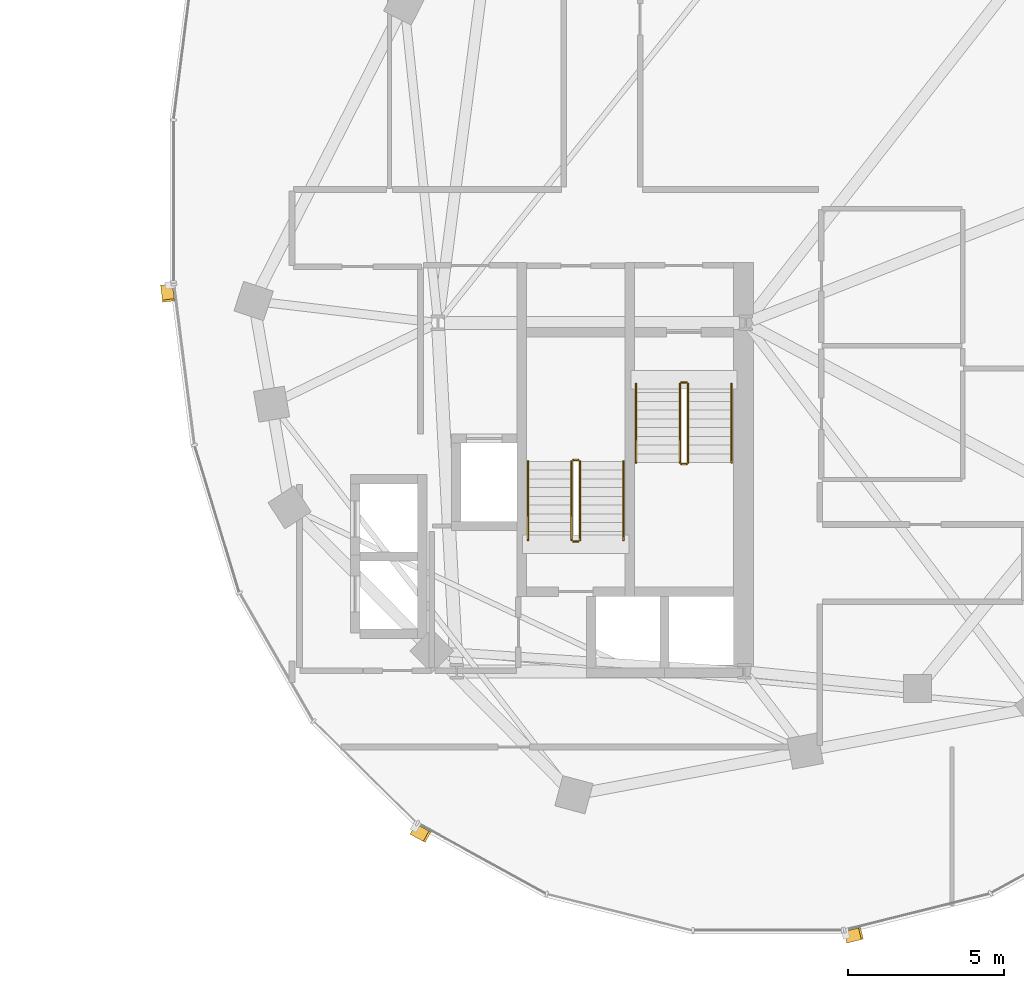
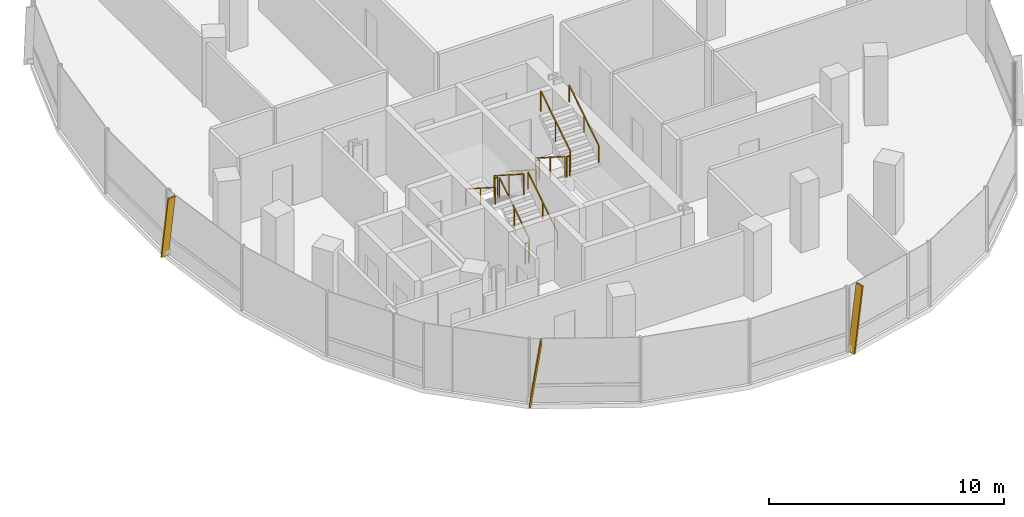
# One storey, part 21 of 22: 12 railings, 3 shading devices.
"""IFC4 building model written with IfcOpenShell, lengths in metres."""

from ifc_helpers import new_model, si_unit, direction, frame, origin, origin_2d, place, context, subcontext, project, spatial, rectangle, extrude, material, material_profile, profile_set, type_object, element, save


model = new_model("IFC4")

# Units and contexts
model_context = context("Model", 3, precision=1e-05, world=origin(), true_north=direction((0.0, 1.0)))
body_context = subcontext(model_context, "Body", "Model", "MODEL_VIEW")
ifc_project = project(units=[si_unit("LENGTHUNIT", "METRE"), si_unit("AREAUNIT", "SQUARE_METRE"), si_unit("VOLUMEUNIT", "CUBIC_METRE"), si_unit("PLANEANGLEUNIT", "RADIAN"), si_unit("MASSUNIT", "GRAM", prefix="KILO"), si_unit("THERMODYNAMICTEMPERATUREUNIT", "KELVIN"), si_unit("POWERUNIT", "WATT")], contexts=[model_context])

# Site, building, storey
site_placement = place(None, origin())
site = spatial("IfcSite", under=ifc_project, at=site_placement, CompositionType="ELEMENT")
building_placement = place(site_placement, origin())
building = spatial("IfcBuilding", under=site, at=building_placement, Name="Cundina Bronze Exchange", CompositionType="ELEMENT")
storey_placement = place(building_placement, frame((0.0, 0.0, 144.0)))
storey = spatial("IfcBuildingStorey", under=building, at=storey_placement, Name="L37", CompositionType="ELEMENT", Elevation=144.0)

# Railings
ifc_material_1 = material(Name="Steel ASTM A36 Painted", Category="steel")
railing_type_1 = type_object("IfcRailingType", Name="RLG-HND-900", PredefinedType="HANDRAIL", material=ifc_material_1)
railing_1_placement = place(storey_placement, frame((27.7900390625, -5.85009765625, 0.179931640625)))
element("IfcRailing", 1, at=railing_1_placement, inside=storey, type_object=railing_type_1, Name="L37 ST-E1 stair handrail 1", PredefinedType="HANDRAIL", context=body_context, shape_type="SweptSolid", body=[
    extrude(rectangle(XDim=0.048095703125, YDim=0.048095703125, at=origin_2d()), frame((0.0, 0.0, 0.8759765625), z_axis=(0.0, -0.841162588446, 0.540782303519), x_axis=(1.0, 0.0, 0.0)), (0.0, 0.0, 1.0), 2.995849609375),
    extrude(rectangle(XDim=0.0419921875, YDim=0.0419921875, at=origin_2d()), origin(), (0.0, 0.0, 1.0), 0.851806640625),
    extrude(rectangle(XDim=0.0419921875, YDim=0.0419921875, at=origin_2d()), frame((0.0, -1.260009765625, 0.81005859375)), (0.0, 0.0, 1.0), 0.851806640625),
    extrude(rectangle(XDim=0.0419921875, YDim=0.0419921875, at=origin_2d()), frame((0.0, -2.52001953125, 1.6201171875)), (0.0, 0.0, 1.0), 0.851806640625),
])
for number, where, name in (
    (2, (30.85009765625, -8.3701171875, 1.97998046875), "L37 ST-E1 stair handrail 2"),
    (3, (27.389892578125, -10.85009765625, 0.179931640625), "L37 ST-E2 stair handrail 1"),
):
    element("IfcRailing", number, at=place(storey_placement, frame(where)), inside=storey, type_object=railing_type_1, Name=name, PredefinedType="HANDRAIL", context=body_context, shape_type="SweptSolid", body=[
        extrude(rectangle(XDim=0.048095703125, YDim=0.048095703125, at=origin_2d()), frame((0.0, 0.0, 0.8759765625), z_axis=(0.0, 0.841162588446, 0.540782303519), x_axis=(-1.0, 0.0, 0.0)), (0.0, 0.0, 1.0), 2.995849609375),
        extrude(rectangle(XDim=0.0419921875, YDim=0.0419921875, at=origin_2d()), origin(), (0.0, 0.0, 1.0), 0.851806640625),
        extrude(rectangle(XDim=0.0419921875, YDim=0.0419921875, at=origin_2d()), frame((0.0, 1.260009765625, 0.81005859375)), (0.0, 0.0, 1.0), 0.851806640625),
        extrude(rectangle(XDim=0.0419921875, YDim=0.0419921875, at=origin_2d()), frame((0.0, 2.52001953125, 1.6201171875)), (0.0, 0.0, 1.0), 0.851806640625),
    ])
railing_2_placement = place(storey_placement, frame((24.330078125, -8.330078125, 1.97998046875)))
element("IfcRailing", 4, at=railing_2_placement, inside=storey, type_object=railing_type_1, Name="L37 ST-E2 stair handrail 2", PredefinedType="HANDRAIL", context=body_context, shape_type="SweptSolid", body=[
    extrude(rectangle(XDim=0.048095703125, YDim=0.048095703125, at=origin_2d()), frame((0.0, 0.0, 0.8759765625), z_axis=(0.0, -0.841162588446, 0.540782303519), x_axis=(1.0, 0.0, 0.0)), (0.0, 0.0, 1.0), 2.995849609375),
    extrude(rectangle(XDim=0.0419921875, YDim=0.0419921875, at=origin_2d()), origin(), (0.0, 0.0, 1.0), 0.851806640625),
    extrude(rectangle(XDim=0.0419921875, YDim=0.0419921875, at=origin_2d()), frame((0.0, -1.260009765625, 0.81005859375)), (0.0, 0.0, 1.0), 0.851806640625),
    extrude(rectangle(XDim=0.0419921875, YDim=0.0419921875, at=origin_2d()), frame((0.0, -2.52001953125, 1.6201171875)), (0.0, 0.0, 1.0), 0.851806640625),
])
railing_type_2 = type_object("IfcRailingType", Name="RLG-STG-1100", PredefinedType="GUARDRAIL", material=ifc_material_1)
railing_3_placement = place(storey_placement, frame((29.18994140625, -5.85009765625, 0.179931640625)))
element("IfcRailing", 5, at=railing_3_placement, inside=storey, type_object=railing_type_2, Name="L37 ST-E1 stair guard 1", PredefinedType="GUARDRAIL", context=body_context, shape_type="SweptSolid", body=[
    extrude(rectangle(XDim=0.048095703125, YDim=0.048095703125, at=origin_2d()), frame((0.0, 0.0, 1.076171875), z_axis=(0.0, -0.841162588446, 0.540782303519), x_axis=(1.0, 0.0, 0.0)), (0.0, 0.0, 1.0), 2.995849609375),
    extrude(rectangle(XDim=0.0419921875, YDim=0.0419921875, at=origin_2d()), origin(), (0.0, 0.0, 1.0), 1.052001953125),
    extrude(rectangle(XDim=0.0419921875, YDim=0.0419921875, at=origin_2d()), frame((0.0, -1.260009765625, 0.81005859375)), (0.0, 0.0, 1.0), 1.052001953125),
    extrude(rectangle(XDim=0.0419921875, YDim=0.0419921875, at=origin_2d()), frame((0.0, -2.52001953125, 1.6201171875)), (0.0, 0.0, 1.0), 1.052001953125),
])
railing_4_placement = place(storey_placement, frame((29.239990234375, -8.419921875, 1.800048828125)))
element("IfcRailing", 6, at=railing_4_placement, inside=storey, type_object=railing_type_2, Name="L37 ST-E1 stair guard 2", PredefinedType="GUARDRAIL", context=body_context, shape_type="SweptSolid", body=[
    extrude(rectangle(XDim=0.048095703125, YDim=0.048095703125, at=origin_2d()), frame((0.0, 0.0, 1.076171875), z_axis=(1.0, 0.0, 0.0), x_axis=(0.0, 1.0, 0.0)), (0.0, 0.0, 1.0), 0.159912109375),
    extrude(rectangle(XDim=0.0419921875, YDim=0.0419921875, at=origin_2d()), origin(), (0.0, 0.0, 1.0), 1.052001953125),
    extrude(rectangle(XDim=0.0419921875, YDim=0.0419921875, at=origin_2d()), frame((0.159912109375, 0.0, 0.0)), (0.0, 0.0, 1.0), 1.052001953125),
])
railing_5_placement = place(storey_placement, frame((29.449951171875, -8.3701171875, 1.97998046875)))
element("IfcRailing", 7, at=railing_5_placement, inside=storey, type_object=railing_type_2, Name="L37 ST-E1 stair guard 3", PredefinedType="GUARDRAIL", context=body_context, shape_type="SweptSolid", body=[
    extrude(rectangle(XDim=0.048095703125, YDim=0.048095703125, at=origin_2d()), frame((0.0, 0.0, 1.076171875), z_axis=(0.0, 0.841162588446, 0.540782303519), x_axis=(-1.0, 0.0, 0.0)), (0.0, 0.0, 1.0), 2.995849609375),
    extrude(rectangle(XDim=0.0419921875, YDim=0.0419921875, at=origin_2d()), origin(), (0.0, 0.0, 1.0), 1.052001953125),
    extrude(rectangle(XDim=0.0419921875, YDim=0.0419921875, at=origin_2d()), frame((0.0, 1.260009765625, 0.81005859375)), (0.0, 0.0, 1.0), 1.052001953125),
    extrude(rectangle(XDim=0.0419921875, YDim=0.0419921875, at=origin_2d()), frame((0.0, 2.52001953125, 1.6201171875)), (0.0, 0.0, 1.0), 1.052001953125),
])
railing_6_placement = place(storey_placement, frame((29.239990234375, -5.800048828125, 0.0)))
element("IfcRailing", 8, at=railing_6_placement, inside=storey, type_object=railing_type_2, Name="L37 ST-E1 stair guard 4", PredefinedType="GUARDRAIL", context=body_context, shape_type="SweptSolid", body=[
    extrude(rectangle(XDim=0.048095703125, YDim=0.048095703125, at=origin_2d()), frame((0.0, 0.0, 1.076171875), z_axis=(1.0, 0.0, 0.0), x_axis=(0.0, 1.0, 0.0)), (0.0, 0.0, 1.0), 0.159912109375),
    extrude(rectangle(XDim=0.0419921875, YDim=0.0419921875, at=origin_2d()), origin(), (0.0, 0.0, 1.0), 1.052001953125),
    extrude(rectangle(XDim=0.0419921875, YDim=0.0419921875, at=origin_2d()), frame((0.159912109375, 0.0, 0.0)), (0.0, 0.0, 1.0), 1.052001953125),
])
railing_7_placement = place(storey_placement, frame((25.989990234375, -10.85009765625, 0.179931640625)))
element("IfcRailing", 9, at=railing_7_placement, inside=storey, type_object=railing_type_2, Name="L37 ST-E2 stair guard 1", PredefinedType="GUARDRAIL", context=body_context, shape_type="SweptSolid", body=[
    extrude(rectangle(XDim=0.048095703125, YDim=0.048095703125, at=origin_2d()), frame((0.0, 0.0, 1.076171875), z_axis=(0.0, 0.841162588446, 0.540782303519), x_axis=(-1.0, 0.0, 0.0)), (0.0, 0.0, 1.0), 2.995849609375),
    extrude(rectangle(XDim=0.0419921875, YDim=0.0419921875, at=origin_2d()), origin(), (0.0, 0.0, 1.0), 1.052001953125),
    extrude(rectangle(XDim=0.0419921875, YDim=0.0419921875, at=origin_2d()), frame((0.0, 1.260009765625, 0.81005859375)), (0.0, 0.0, 1.0), 1.052001953125),
    extrude(rectangle(XDim=0.0419921875, YDim=0.0419921875, at=origin_2d()), frame((0.0, 2.52001953125, 1.6201171875)), (0.0, 0.0, 1.0), 1.052001953125),
])
railing_8_placement = place(storey_placement, frame((25.93994140625, -8.280029296875, 1.800048828125)))
element("IfcRailing", 10, at=railing_8_placement, inside=storey, type_object=railing_type_2, Name="L37 ST-E2 stair guard 2", PredefinedType="GUARDRAIL", context=body_context, shape_type="SweptSolid", body=[
    extrude(rectangle(XDim=0.048095703125, YDim=0.048095703125, at=origin_2d()), frame((0.0, 0.0, 1.076171875), z_axis=(-1.0, 0.0, 0.0), x_axis=(0.0, -1.0, 0.0)), (0.0, 0.0, 1.0), 0.159912109375),
    extrude(rectangle(XDim=0.0419921875, YDim=0.0419921875, at=origin_2d()), origin(), (0.0, 0.0, 1.0), 1.052001953125),
    extrude(rectangle(XDim=0.0419921875, YDim=0.0419921875, at=origin_2d()), frame((-0.159912109375, 0.0, 0.0)), (0.0, 0.0, 1.0), 1.052001953125),
])
railing_9_placement = place(storey_placement, frame((25.72998046875, -8.330078125, 1.97998046875)))
element("IfcRailing", 11, at=railing_9_placement, inside=storey, type_object=railing_type_2, Name="L37 ST-E2 stair guard 3", PredefinedType="GUARDRAIL", context=body_context, shape_type="SweptSolid", body=[
    extrude(rectangle(XDim=0.048095703125, YDim=0.048095703125, at=origin_2d()), frame((0.0, 0.0, 1.076171875), z_axis=(0.0, -0.841162588446, 0.540782303519), x_axis=(1.0, 0.0, 0.0)), (0.0, 0.0, 1.0), 2.995849609375),
    extrude(rectangle(XDim=0.0419921875, YDim=0.0419921875, at=origin_2d()), origin(), (0.0, 0.0, 1.0), 1.052001953125),
    extrude(rectangle(XDim=0.0419921875, YDim=0.0419921875, at=origin_2d()), frame((0.0, -1.260009765625, 0.81005859375)), (0.0, 0.0, 1.0), 1.052001953125),
    extrude(rectangle(XDim=0.0419921875, YDim=0.0419921875, at=origin_2d()), frame((0.0, -2.52001953125, 1.6201171875)), (0.0, 0.0, 1.0), 1.052001953125),
])
railing_10_placement = place(storey_placement, frame((25.93994140625, -10.89990234375, 0.0)))
element("IfcRailing", 12, at=railing_10_placement, inside=storey, type_object=railing_type_2, Name="L37 ST-E2 stair guard 4", PredefinedType="GUARDRAIL", context=body_context, shape_type="SweptSolid", body=[
    extrude(rectangle(XDim=0.048095703125, YDim=0.048095703125, at=origin_2d()), frame((0.0, 0.0, 1.076171875), z_axis=(-1.0, 0.0, 0.0), x_axis=(0.0, -1.0, 0.0)), (0.0, 0.0, 1.0), 0.159912109375),
    extrude(rectangle(XDim=0.0419921875, YDim=0.0419921875, at=origin_2d()), origin(), (0.0, 0.0, 1.0), 1.052001953125),
    extrude(rectangle(XDim=0.0419921875, YDim=0.0419921875, at=origin_2d()), frame((-0.159912109375, 0.0, 0.0)), (0.0, 0.0, 1.0), 1.052001953125),
])

# Shading devices
ifc_material_2 = material(Name="Anodised Bronze Aluminium 6063-T6", Category="aluminium")
ifc_material_profile = material_profile(ifc_material_2, rectangle(XDim=0.070068359375, YDim=0.3798828125, at=origin_2d()), Name="FIN70X380", Category="aluminium")
ifc_profile_set = profile_set([ifc_material_profile], Name="Anodised Bronze Aluminium 6063-T6")
shading_device_type = type_object("IfcShadingDeviceType", Name="SHD-FIN-BRZ380", PredefinedType="USERDEFINED", material=ifc_profile_set)
for number, where, z_axis, x_axis, name in (
    (13, (12.76513671875, -2.705810546875, 0.02001953125), (0.018121805099, -0.141917750773, 0.989712560391), (-0.125360789044, 0.981741119016, 0.143070080046), "L37 Diagonal Bronze Solar Fin 1"),
    (14, (20.679931640625, -20.11181640625, 0.02001953125), (0.125324460949, -0.068993954111, 0.989713905017), (-0.867011652888, 0.477309551067, 0.143060778049), "L37 Diagonal Bronze Solar Fin 5"),
    (15, (34.51953125, -23.556396484375, 0.02001953125), (0.138788401144, 0.034715294885, 0.989713407007), (-0.960133415413, -0.240159223467, 0.14306422331), "L37 Diagonal Bronze Solar Fin 1"),
):
    element("IfcShadingDevice", number, at=place(storey_placement, frame(where, z_axis=z_axis, x_axis=x_axis)), inside=storey, type_object=shading_device_type, Name=name, ObjectType="FIN", PredefinedType="USERDEFINED", context=body_context, shape_type="SweptSolid", body=[
        extrude(rectangle(XDim=0.070068359375, YDim=0.3798828125, at=origin_2d()), origin(), (0.0, 0.0, 1.0), 3.3544921875),
    ])

save(model, "model.ifc")
